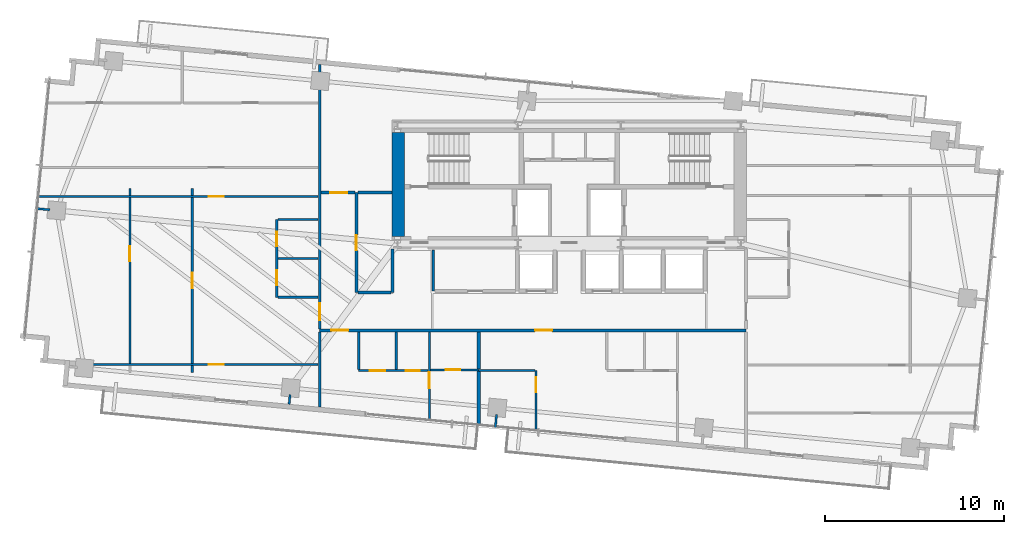
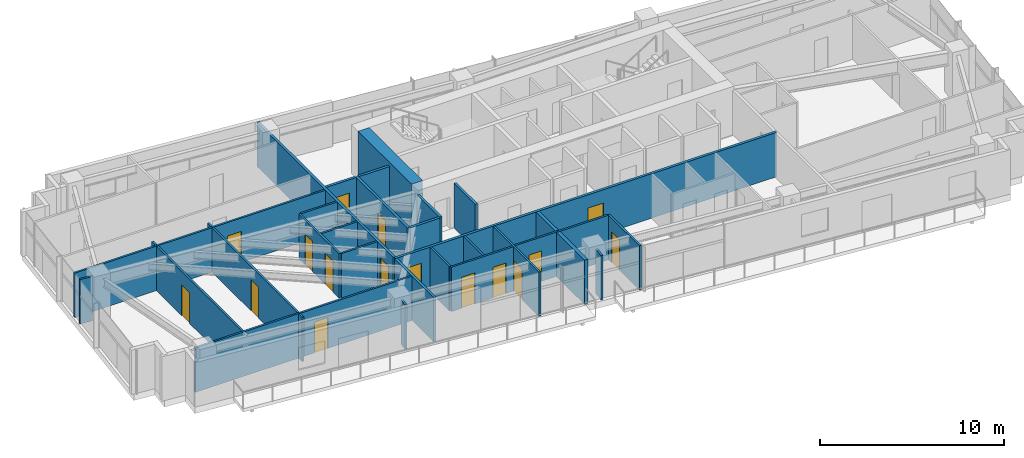
# One storey, part 14 of 19: 33 walls, 16 doors, 16 openings.
"""IFC4 building model written with IfcOpenShell, lengths in metres."""

from ifc_helpers import new_model, si_unit, direction, frame, frame_2d, origin, place, context, subcontext, project, spatial, rectangle, extrude, source, transform, mapped, material, layer, layer_set, type_object, type_shapes, element, fill, save


model = new_model("IFC4")

# Units and contexts
model_context = context("Model", 3, precision=1e-05, world=origin(), true_north=direction((0.0, 1.0)))
body_context = subcontext(model_context, "Body", "Model", "MODEL_VIEW")
ifc_project = project(units=[si_unit("LENGTHUNIT", "METRE"), si_unit("AREAUNIT", "SQUARE_METRE"), si_unit("VOLUMEUNIT", "CUBIC_METRE"), si_unit("PLANEANGLEUNIT", "RADIAN"), si_unit("MASSUNIT", "GRAM", prefix="KILO")], contexts=[model_context])

# Site, building, storey
site_placement = place(None, origin())
site = spatial("IfcSite", under=ifc_project, at=site_placement, CompositionType="ELEMENT")
building_placement = place(site_placement, origin())
building = spatial("IfcBuilding", under=site, at=building_placement, Name="Astriad Promenade Condominiums", CompositionType="ELEMENT")
storey_placement = place(building_placement, frame((0.0, 0.0, 124.60009765625)))
storey = spatial("IfcBuildingStorey", under=building, at=storey_placement, Name="L35", CompositionType="ELEMENT", Elevation=124.60009765625)

# Walls
ifc_material_1 = material(Name="Concrete C60/75", Category="concrete")
ifc_layer_1 = layer(ifc_material_1, 0.699951171875)
ifc_layer_set_1 = layer_set([ifc_layer_1], Name="Concrete C60/75")
wall_type_1 = type_object("IfcWallType", Name="CW-SHEAR-700", PredefinedType="SHEAR", material=ifc_layer_set_1)
wall_1_placement = place(storey_placement, frame((26.449951171875, 17.802001953125, 0.0), z_axis=(0.0, 0.0, 1.0), x_axis=(0.0, 1.0, 0.0)))
element("IfcWall", 1, at=wall_1_placement, inside=storey, type_object=wall_type_1, Name="CW-CORE-W-L35", PredefinedType="SHEAR", context=body_context, shape_type="SweptSolid", body=[
    extrude(rectangle(XDim=5.7958984375, YDim=0.699951171875, at=frame_2d((2.89794921875, 0.0))), origin(), (0.0, 0.0, 1.0), 3.199951171875),
])
ifc_material_2 = material(Name="Fire-Rated Gypsum Partition")
ifc_layer_2 = layer(ifc_material_2, 0.159912109375)
ifc_layer_set_2 = layer_set([ifc_layer_2], Name="Fire-Rated Gypsum Partition")
wall_type_2 = type_object("IfcWallType", Name="WALL-CORR-160", PredefinedType="PARTITIONING", material=ifc_layer_set_2)
wall_2_placement = place(storey_placement, frame((28.39990234375, 14.75, 0.0), z_axis=(0.0, 0.0, 1.0), x_axis=(0.0, 1.0, 0.0)))
element("IfcWall", 2, at=wall_2_placement, inside=storey, type_object=wall_type_2, Name="REC-L-W-L35", PredefinedType="PARTITIONING", context=body_context, shape_type="SweptSolid", body=[
    extrude(rectangle(XDim=2.300048828125, YDim=0.159912109375, at=frame_2d((1.14990234375, 0.0))), origin(), (0.0, 0.0, 1.0), 2.93994140625),
])

# Wall, openings, doors
wall_3_placement = place(storey_placement, frame((22.050048828125, 12.550048828125, 0.0), z_axis=(0.0, 0.0, 1.0), x_axis=(1.0, 0.0, 0.0)))
wall_3 = element("IfcWall", 3, at=wall_3_placement, inside=storey, type_object=wall_type_2, Name="PT-COR-S-L35", PredefinedType="PARTITIONING", context=body_context, shape_type="SweptSolid", body=[
    extrude(rectangle(XDim=23.829833984375, YDim=0.159912109375, at=frame_2d((11.9150390625, 0.0))), origin(), (0.0, 0.0, 1.0), 2.93994140625),
])
opening_1_placement = place(wall_3_placement, frame((0.655029296875, 0.0, 0.0)))
opening_1 = element("IfcOpeningElement", 4, at=opening_1_placement, cuts=wall_3, Name="Opening FD60-APT-095", PredefinedType="OPENING", context=body_context, shape_type="SweptSolid", body=[
    extrude(rectangle(XDim=0.949951171875, YDim=2.06005859375, at=frame_2d((0.47509765625, 1.030029296875))), frame((0.0, 0.08984375, 0.0), z_axis=(0.0, -1.0, 0.0), x_axis=(1.0, 0.0, 0.0)), (0.0, 0.0, 1.0), 0.179931640625),
])
opening_2_placement = place(wall_3_placement, frame((12.0400390625, 0.0, 0.0)))
opening_2 = element("IfcOpeningElement", 5, at=opening_2_placement, cuts=wall_3, Name="Opening FD60-APT-095", PredefinedType="OPENING", context=body_context, shape_type="SweptSolid", body=[
    extrude(rectangle(XDim=0.949951171875, YDim=2.06005859375, at=frame_2d((0.47509765625, 1.030029296875))), frame((0.0, 0.08984375, 0.0), z_axis=(0.0, -1.0, 0.0), x_axis=(1.0, 0.0, 0.0)), (0.0, 0.0, 1.0), 0.179931640625),
])
ifc_material_3 = material(Name="Solid-Core Acoustic Timber Residence Entry Door", Category="wood")
door_type_1 = type_object("IfcDoorType", Name="FD60-APT-095", OperationType="NOTDEFINED", PredefinedType="DOOR", material=ifc_material_3)
shared_shape_1 = source(origin(), body_context, "Body", "SweptSolid", [
    extrude(rectangle(XDim=0.949951171875, YDim=2.06005859375, at=frame_2d((0.47509765625, 1.030029296875))), frame((0.0, 0.02490234375, 0.0), z_axis=(0.0, -1.0, 0.0), x_axis=(1.0, 0.0, 0.0)), (0.0, 0.0, 1.0), 0.050048828125),
])
type_shapes(door_type_1, [shared_shape_1])
door_1_placement = place(opening_1_placement, origin())
door_1 = element("IfcDoor", 6, at=door_1_placement, inside=storey, type_object=door_type_1, Name="D-ENT-L35-S1", OperationType="SINGLE_SWING_LEFT", OverallHeight=2.06005859375, OverallWidth=0.949951171875, PredefinedType="DOOR", context=body_context, shape_type="MappedRepresentation", body=[
    mapped(shared_shape_1, transform((0.0, 0.0, 0.0), scale=1.0)),
])
fill(opening_1, door_1)
door_2_placement = place(opening_2_placement, origin())
door_2 = element("IfcDoor", 7, at=door_2_placement, inside=storey, type_object=door_type_1, Name="D-ENT-L35-S2", OperationType="SINGLE_SWING_RIGHT", OverallHeight=2.06005859375, OverallWidth=0.949951171875, PredefinedType="DOOR", context=body_context, shape_type="MappedRepresentation", body=[
    mapped(shared_shape_1, transform((0.0, 0.0, 0.0), scale=1.0)),
])
fill(opening_2, door_2)

# Wall
wall_4_placement = place(storey_placement, frame((22.050048828125, 8.253173828125, 0.0), z_axis=(0.0, 0.0, 1.0), x_axis=(0.0, 1.0, 0.0)))
element("IfcWall", 8, at=wall_4_placement, inside=storey, type_object=wall_type_2, Name="PT-COR-W-L35", PredefinedType="PARTITIONING", context=body_context, shape_type="SweptSolid", body=[
    extrude(rectangle(XDim=4.21484375, YDim=0.159912109375, at=frame_2d((2.107421875, 0.0))), origin(), (0.0, 0.0, 1.0), 2.93994140625),
])

# Wall, opening, door
wall_5_placement = place(storey_placement, frame((22.050048828125, 12.632080078125, 0.0), z_axis=(0.0, 0.0, 1.0), x_axis=(0.0, 1.0, 0.0)))
wall_5 = element("IfcWall", 9, at=wall_5_placement, inside=storey, type_object=wall_type_2, Name="PT-COR-W-L35-S2", PredefinedType="PARTITIONING", context=body_context, shape_type="SweptSolid", body=[
    extrude(rectangle(XDim=14.78515625, YDim=0.159912109375, at=frame_2d((7.392578125, 0.0))), origin(), (0.0, 0.0, 1.0), 2.93994140625),
])
opening_3_placement = place(wall_5_placement, frame((0.492919921875, 0.0, 0.0)))
opening_3 = element("IfcOpeningElement", 10, at=opening_3_placement, cuts=wall_5, Name="Opening FD60-APT-095", PredefinedType="OPENING", context=body_context, shape_type="SweptSolid", body=[
    extrude(rectangle(XDim=0.949951171875, YDim=2.06005859375, at=frame_2d((0.47509765625, 1.030029296875))), frame((0.0, 0.08984375, 0.0), z_axis=(0.0, -1.0, 0.0), x_axis=(1.0, 0.0, 0.0)), (0.0, 0.0, 1.0), 0.179931640625),
])
door_3_placement = place(opening_3_placement, origin())
door_3 = element("IfcDoor", 11, at=door_3_placement, inside=storey, type_object=door_type_1, Name="D-ENT-L35-W1", OperationType="SINGLE_SWING_RIGHT", OverallHeight=2.06005859375, OverallWidth=0.949951171875, PredefinedType="DOOR", context=body_context, shape_type="MappedRepresentation", body=[
    mapped(shared_shape_1, transform((0.0, 0.0, 0.0), scale=1.0)),
])
fill(opening_3, door_3)

wall_6_placement = place(storey_placement, frame((24.10009765625, 14.659912109375, 0.0), z_axis=(0.0, 0.0, 1.0), x_axis=(0.0, 1.0, 0.0)))
wall_6 = element("IfcWall", 12, at=wall_6_placement, inside=storey, type_object=wall_type_2, Name="PT-HK-E-L35", PredefinedType="PARTITIONING", context=body_context, shape_type="SweptSolid", body=[
    extrude(rectangle(XDim=5.590087890625, YDim=0.159912109375, at=frame_2d((2.794921875, 0.0))), origin(), (0.0, 0.0, 1.0), 2.93994140625),
])
opening_4_placement = place(wall_6_placement, frame((2.360107421875, 0.0, 0.0)))
opening_4 = element("IfcOpeningElement", 13, at=opening_4_placement, cuts=wall_6, Name="Opening FD60-ULOW-085", PredefinedType="OPENING", context=body_context, shape_type="SweptSolid", body=[
    extrude(rectangle(XDim=0.85009765625, YDim=2.0, at=frame_2d((0.425048828125, 1.0))), frame((0.0, 0.08984375, 0.0), z_axis=(0.0, -1.0, 0.0), x_axis=(1.0, 0.0, 0.0)), (0.0, 0.0, 1.0), 0.179931640625),
])
ifc_material_4 = material(Name="Solid-Core Low-Headroom Fire Door")
door_type_2 = type_object("IfcDoorType", Name="FD60-ULOW-085", OperationType="NOTDEFINED", PredefinedType="DOOR", material=ifc_material_4)
shared_shape_2 = source(origin(), body_context, "Body", "SweptSolid", [
    extrude(rectangle(XDim=0.85009765625, YDim=2.0, at=frame_2d((0.425048828125, 1.0))), frame((0.0, 0.02490234375, 0.0), z_axis=(0.0, -1.0, 0.0), x_axis=(1.0, 0.0, 0.0)), (0.0, 0.0, 1.0), 0.050048828125),
])
type_shapes(door_type_2, [shared_shape_2])
door_4_placement = place(opening_4_placement, origin())
door_4 = element("IfcDoor", 14, at=door_4_placement, inside=storey, type_object=door_type_2, Name="D-HKA-L35", OperationType="SINGLE_SWING_RIGHT", OverallHeight=2.0, OverallWidth=0.85009765625, PredefinedType="DOOR", context=body_context, shape_type="MappedRepresentation", body=[
    mapped(shared_shape_2, transform((0.0, 0.0, 0.0), scale=1.0)),
])
fill(opening_4, door_4)

wall_7_placement = place(storey_placement, frame((22.132080078125, 20.25, 0.0), z_axis=(0.0, 0.0, 1.0), x_axis=(1.0, 0.0, 0.0)))
wall_7 = element("IfcWall", 15, at=wall_7_placement, inside=storey, type_object=wall_type_2, Name="PT-HK-N-L35", PredefinedType="PARTITIONING", context=body_context, shape_type="SweptSolid", body=[
    extrude(rectangle(XDim=1.885986328125, YDim=0.159912109375, at=frame_2d((0.94287109375, 0.0))), origin(), (0.0, 0.0, 1.0), 2.93994140625),
])
opening_5_placement = place(wall_7_placement, frame((0.508056640625, 0.0, 0.0)))
opening_5 = element("IfcOpeningElement", 16, at=opening_5_placement, cuts=wall_7, Name="Opening FD60-APT-095", PredefinedType="OPENING", context=body_context, shape_type="SweptSolid", body=[
    extrude(rectangle(XDim=0.949951171875, YDim=2.06005859375, at=frame_2d((0.47509765625, 1.030029296875))), frame((0.0, 0.08984375, 0.0), z_axis=(0.0, -1.0, 0.0), x_axis=(1.0, 0.0, 0.0)), (0.0, 0.0, 1.0), 0.179931640625),
])
door_5_placement = place(opening_5_placement, origin())
door_5 = element("IfcDoor", 17, at=door_5_placement, inside=storey, type_object=door_type_1, Name="D-HKB-L35", OperationType="SINGLE_SWING_LEFT", OverallHeight=2.06005859375, OverallWidth=0.949951171875, PredefinedType="DOOR", context=body_context, shape_type="MappedRepresentation", body=[
    mapped(shared_shape_1, transform((0.0, 0.0, 0.0), scale=1.0)),
])
fill(opening_5, door_5)

# Walls
wall_8_placement = place(storey_placement, frame((24.181884765625, 20.25, 0.0), z_axis=(0.0, 0.0, 1.0), x_axis=(1.0, 0.0, 0.0)))
element("IfcWall", 18, at=wall_8_placement, inside=storey, type_object=wall_type_2, Name="PT-HK-N-L35-S2", PredefinedType="PARTITIONING", context=body_context, shape_type="SweptSolid", body=[
    extrude(rectangle(XDim=1.916015625, YDim=0.159912109375, at=frame_2d((0.9580078125, 0.0))), origin(), (0.0, 0.0, 1.0), 2.93994140625),
])
wall_9_placement = place(storey_placement, frame((26.1201171875, 14.659912109375, 0.0), z_axis=(0.0, 0.0, 1.0), x_axis=(0.0, 1.0, 0.0)))
element("IfcWall", 19, at=wall_9_placement, inside=storey, type_object=wall_type_2, Name="PT-WSPUR-W-L35", PredefinedType="PARTITIONING", context=body_context, shape_type="SweptSolid", body=[
    extrude(rectangle(XDim=2.43798828125, YDim=0.159912109375, at=frame_2d((1.218994140625, 0.0))), origin(), (0.0, 0.0, 1.0), 2.93994140625),
])
wall_10_placement = place(storey_placement, frame((24.181884765625, 14.659912109375, 0.0), z_axis=(0.0, 0.0, 1.0), x_axis=(1.0, 0.0, 0.0)))
element("IfcWall", 20, at=wall_10_placement, inside=storey, type_object=wall_type_2, Name="PT-HK-S-L35", PredefinedType="PARTITIONING", context=body_context, shape_type="SweptSolid", body=[
    extrude(rectangle(XDim=1.856201171875, YDim=0.159912109375, at=frame_2d((0.92822265625, 0.0))), origin(), (0.0, 0.0, 1.0), 2.93994140625),
])
ifc_material_5 = material(Name="Acoustic Double-Stud Gypsum Partition")
ifc_layer_3 = layer(ifc_material_5, 0.199951171875)
ifc_layer_set_3 = layer_set([ifc_layer_3], Name="Acoustic Double-Stud Gypsum Partition")
wall_type_3 = type_object("IfcWallType", Name="WALL-DEMISING-200", PredefinedType="PARTITIONING", material=ifc_layer_set_3)
wall_11_placement = place(storey_placement, frame((30.929931640625, 7.215087890625, 0.0), z_axis=(0.0, 0.0, 1.0), x_axis=(0.0, 1.0, 0.0)))
element("IfcWall", 21, at=wall_11_placement, inside=storey, type_object=wall_type_3, Name="PT-DEM-S1-L35", PredefinedType="PARTITIONING", context=body_context, shape_type="SweptSolid", body=[
    extrude(rectangle(XDim=3.06201171875, YDim=0.199951171875, at=frame_2d((1.531005859375, 0.0))), origin(), (0.0, 0.0, 1.0), 2.93994140625),
])
wall_12_placement = place(storey_placement, frame((30.929931640625, 10.40087890625, 0.0), z_axis=(0.0, 0.0, 1.0), x_axis=(0.0, 1.0, 0.0)))
element("IfcWall", 22, at=wall_12_placement, inside=storey, type_object=wall_type_3, Name="PT-DEM-S1-L35-S2", PredefinedType="PARTITIONING", context=body_context, shape_type="SweptSolid", body=[
    extrude(rectangle(XDim=2.067138671875, YDim=0.199951171875, at=frame_2d((1.03369140625, 0.0))), origin(), (0.0, 0.0, 1.0), 2.93994140625),
])

# Wall, opening, door
ifc_material_6 = material(Name="Acoustic Metal-Stud Gypsum Partition")
ifc_layer_4 = layer(ifc_material_6, 0.1201171875)
ifc_layer_set_4 = layer_set([ifc_layer_4], Name="Acoustic Metal-Stud Gypsum Partition")
wall_type_4 = type_object("IfcWallType", Name="WALL-PART-120", PredefinedType="PARTITIONING", material=ifc_layer_set_4)
wall_13_placement = place(storey_placement, frame((28.179931640625, 7.47998046875, 0.0), z_axis=(0.0, 0.0, 1.0), x_axis=(0.0, 1.0, 0.0)))
wall_13 = element("IfcWall", 23, at=wall_13_placement, inside=storey, type_object=wall_type_4, Name="PT-L35-S1-BD1", PredefinedType="PARTITIONING", context=body_context, shape_type="SweptSolid", body=[
    extrude(rectangle(XDim=4.988037109375, YDim=0.1201171875, at=frame_2d((2.494140625, 0.0))), origin(), (0.0, 0.0, 1.0), 2.93994140625),
])
opening_6_placement = place(wall_13_placement, frame((1.835205078125, 0.0, 0.0)))
opening_6 = element("IfcOpeningElement", 24, at=opening_6_placement, cuts=wall_13, Name="Opening D-INT-090", PredefinedType="OPENING", context=body_context, shape_type="SweptSolid", body=[
    extrude(rectangle(XDim=0.89990234375, YDim=2.050048828125, at=frame_2d((0.449951171875, 1.02490234375))), frame((0.0, 0.070068359375, 0.0), z_axis=(0.0, -1.0, 0.0), x_axis=(1.0, 0.0, 0.0)), (0.0, 0.0, 1.0), 0.14013671875),
])
ifc_material_7 = material(Name="Painted Solid-Core Timber Bedroom Door", Category="wood")
door_type_3 = type_object("IfcDoorType", Name="D-INT-090", OperationType="NOTDEFINED", PredefinedType="DOOR", material=ifc_material_7)
shared_shape_3 = source(origin(), body_context, "Body", "SweptSolid", [
    extrude(rectangle(XDim=0.89990234375, YDim=2.050048828125, at=frame_2d((0.449951171875, 1.02490234375))), frame((0.0, 0.02490234375, 0.0), z_axis=(0.0, -1.0, 0.0), x_axis=(1.0, 0.0, 0.0)), (0.0, 0.0, 1.0), 0.050048828125),
])
type_shapes(door_type_3, [shared_shape_3])
door_6_placement = place(opening_6_placement, origin())
door_6 = element("IfcDoor", 25, at=door_6_placement, inside=storey, type_object=door_type_3, Name="D-BD1-L35-S1", OperationType="SINGLE_SWING_RIGHT", OverallHeight=2.050048828125, OverallWidth=0.89990234375, PredefinedType="DOOR", context=body_context, shape_type="MappedRepresentation", body=[
    mapped(shared_shape_3, transform((0.0, 0.0, 0.0), scale=1.0)),
])
fill(opening_6, door_6)

# Wall, openings, doors
wall_14_placement = place(storey_placement, frame((24.22998046875, 10.300048828125, 0.0), z_axis=(0.0, 0.0, 1.0), x_axis=(1.0, 0.0, 0.0)))
wall_14 = element("IfcWall", 26, at=wall_14_placement, inside=storey, type_object=wall_type_4, Name="PT-L35-S1-PS", PredefinedType="PARTITIONING", context=body_context, shape_type="SweptSolid", body=[
    extrude(rectangle(XDim=3.887939453125, YDim=0.1201171875, at=frame_2d((1.94384765625, 0.0))), origin(), (0.0, 0.0, 1.0), 2.93994140625),
])
opening_7_placement = place(wall_14_placement, frame((0.625, 0.0, 0.0)))
opening_7 = element("IfcOpeningElement", 27, at=opening_7_placement, cuts=wall_14, Name="Opening D-INT-085", PredefinedType="OPENING", context=body_context, shape_type="SweptSolid", body=[
    extrude(rectangle(XDim=0.85009765625, YDim=2.050048828125, at=frame_2d((0.425048828125, 1.02490234375))), frame((0.0, 0.070068359375, 0.0), z_axis=(0.0, -1.0, 0.0), x_axis=(1.0, 0.0, 0.0)), (0.0, 0.0, 1.0), 0.14013671875),
])
opening_8_placement = place(wall_14_placement, frame((2.625, 0.0, 0.0)))
opening_8 = element("IfcOpeningElement", 28, at=opening_8_placement, cuts=wall_14, Name="Opening D-WET-080", PredefinedType="OPENING", context=body_context, shape_type="SweptSolid", body=[
    extrude(rectangle(XDim=0.800048828125, YDim=2.02001953125, at=frame_2d((0.39990234375, 1.010009765625))), frame((0.0, 0.070068359375, 0.0), z_axis=(0.0, -1.0, 0.0), x_axis=(1.0, 0.0, 0.0)), (0.0, 0.0, 1.0), 0.14013671875),
])
ifc_material_8 = material(Name="Moisture-Resistant Timber Bathroom Door", Category="wood")
door_type_4 = type_object("IfcDoorType", Name="D-WET-080", OperationType="NOTDEFINED", PredefinedType="DOOR", material=ifc_material_8)
shared_shape_4 = source(origin(), body_context, "Body", "SweptSolid", [
    extrude(rectangle(XDim=0.800048828125, YDim=2.02001953125, at=frame_2d((0.39990234375, 1.010009765625))), frame((0.0, 0.02490234375, 0.0), z_axis=(0.0, -1.0, 0.0), x_axis=(1.0, 0.0, 0.0)), (0.0, 0.0, 1.0), 0.050048828125),
])
type_shapes(door_type_4, [shared_shape_4])
door_7_placement = place(opening_8_placement, origin())
door_7 = element("IfcDoor", 29, at=door_7_placement, inside=storey, type_object=door_type_4, Name="D-BTH-L35-S1", OperationType="SINGLE_SWING_RIGHT", OverallHeight=2.02001953125, OverallWidth=0.800048828125, PredefinedType="DOOR", context=body_context, shape_type="MappedRepresentation", body=[
    mapped(shared_shape_4, transform((0.0, 0.0, 0.0), scale=1.0)),
])
fill(opening_8, door_7)
ifc_material_9 = material(Name="Painted Solid-Core Timber Room Door", Category="wood")
door_type_5 = type_object("IfcDoorType", Name="D-INT-085", OperationType="NOTDEFINED", PredefinedType="DOOR", material=ifc_material_9)
shared_shape_5 = source(origin(), body_context, "Body", "SweptSolid", [
    extrude(rectangle(XDim=0.85009765625, YDim=2.050048828125, at=frame_2d((0.425048828125, 1.02490234375))), frame((0.0, 0.02490234375, 0.0), z_axis=(0.0, -1.0, 0.0), x_axis=(1.0, 0.0, 0.0)), (0.0, 0.0, 1.0), 0.050048828125),
])
type_shapes(door_type_5, [shared_shape_5])
door_8_placement = place(opening_7_placement, origin())
door_8 = element("IfcDoor", 30, at=door_8_placement, inside=storey, type_object=door_type_5, Name="D-KIT-L35-S1", OperationType="SINGLE_SWING_LEFT", OverallHeight=2.050048828125, OverallWidth=0.85009765625, PredefinedType="DOOR", context=body_context, shape_type="MappedRepresentation", body=[
    mapped(shared_shape_5, transform((0.0, 0.0, 0.0), scale=1.0)),
])
fill(opening_7, door_8)

# Walls
for number, where, z_axis, x_axis, name in (
    (31, (26.330078125, 10.362060546875, 0.0), (0.0, 0.0, 1.0), (0.0, 1.0, 0.0), "PT-L35-S1-PBK"),
    (32, (24.22998046875, 10.362060546875, 0.0), (0.0, 0.0, 1.0), (0.0, 1.0, 0.0), "PT-L35-S1-PKW"),
):
    element("IfcWall", number, at=place(storey_placement, frame(where, z_axis=z_axis, x_axis=x_axis)), inside=storey, type_object=wall_type_4, Name=name, PredefinedType="PARTITIONING", context=body_context, shape_type="SweptSolid", body=[
        extrude(rectangle(XDim=2.10595703125, YDim=0.1201171875, at=frame_2d((1.052978515625, 0.0))), origin(), (0.0, 0.0, 1.0), 2.93994140625),
    ])

# Wall, opening, door
wall_15_placement = place(storey_placement, frame((28.241943359375, 10.339111328125, 0.0), z_axis=(0.0, 0.0, 1.0), x_axis=(1.0, 0.0, 0.0)))
wall_15 = element("IfcWall", 33, at=wall_15_placement, inside=storey, type_object=wall_type_4, Name="PT-L35-S1-ENS", PredefinedType="PARTITIONING", context=body_context, shape_type="SweptSolid", body=[
    extrude(rectangle(XDim=2.68798828125, YDim=0.1201171875, at=frame_2d((1.343994140625, 0.0))), origin(), (0.0, 0.0, 1.0), 2.93994140625),
])
opening_9_placement = place(wall_15_placement, frame((0.863037109375, 0.0, 0.0)))
opening_9 = element("IfcOpeningElement", 34, at=opening_9_placement, cuts=wall_15, Name="Opening D-WET-080", PredefinedType="OPENING", context=body_context, shape_type="SweptSolid", body=[
    extrude(rectangle(XDim=0.800048828125, YDim=2.02001953125, at=frame_2d((0.39990234375, 1.010009765625))), frame((0.0, 0.070068359375, 0.0), z_axis=(0.0, -1.0, 0.0), x_axis=(1.0, 0.0, 0.0)), (0.0, 0.0, 1.0), 0.14013671875),
])
door_9_placement = place(opening_9_placement, origin())
door_9 = element("IfcDoor", 35, at=door_9_placement, inside=storey, type_object=door_type_4, Name="D-ENS-L35-S1", OperationType="SINGLE_SWING_RIGHT", OverallHeight=2.02001953125, OverallWidth=0.800048828125, PredefinedType="DOOR", context=body_context, shape_type="MappedRepresentation", body=[
    mapped(shared_shape_4, transform((0.0, 0.0, 0.0), scale=1.0)),
])
fill(opening_9, door_9)

wall_16_placement = place(storey_placement, frame((34.14111328125, 6.906005859375, 0.0), z_axis=(0.0, 0.0, 1.0), x_axis=(0.0, 1.0, 0.0)))
wall_16 = element("IfcWall", 36, at=wall_16_placement, inside=storey, type_object=wall_type_4, Name="PT-L35-S2-EXV", PredefinedType="PARTITIONING", context=body_context, shape_type="SweptSolid", body=[
    extrude(rectangle(XDim=3.39404296875, YDim=0.1201171875, at=frame_2d((1.697021484375, 0.0))), origin(), (0.0, 0.0, 1.0), 2.93994140625),
])
opening_10_placement = place(wall_16_placement, frame((2.179931640625, 0.0, 0.0)))
opening_10 = element("IfcOpeningElement", 37, at=opening_10_placement, cuts=wall_16, Name="Opening D-INT-085", PredefinedType="OPENING", context=body_context, shape_type="SweptSolid", body=[
    extrude(rectangle(XDim=0.85009765625, YDim=2.050048828125, at=frame_2d((0.425048828125, 1.02490234375))), frame((0.0, 0.070068359375, 0.0), z_axis=(0.0, -1.0, 0.0), x_axis=(1.0, 0.0, 0.0)), (0.0, 0.0, 1.0), 0.14013671875),
])
door_10_placement = place(opening_10_placement, origin())
door_10 = element("IfcDoor", 38, at=door_10_placement, inside=storey, type_object=door_type_5, Name="D-EX-L35-S2", OperationType="SINGLE_SWING_LEFT", OverallHeight=2.050048828125, OverallWidth=0.85009765625, PredefinedType="DOOR", context=body_context, shape_type="MappedRepresentation", body=[
    mapped(shared_shape_5, transform((0.0, 0.0, 0.0), scale=1.0)),
])
fill(opening_10, door_10)

# Wall
wall_17_placement = place(storey_placement, frame((30.929931640625, 10.300048828125, 0.0), z_axis=(0.0, 0.0, 1.0), x_axis=(1.0, 0.0, 0.0)))
element("IfcWall", 39, at=wall_17_placement, inside=storey, type_object=wall_type_4, Name="PT-L35-S2-EXH", PredefinedType="PARTITIONING", context=body_context, shape_type="SweptSolid", body=[
    extrude(rectangle(XDim=3.149169921875, YDim=0.1201171875, at=frame_2d((1.57470703125, 0.0))), origin(), (0.0, 0.0, 1.0), 2.93994140625),
])

# Wall, openings, doors
wall_18_placement = place(storey_placement, frame((19.64990234375, 14.39990234375, 0.0), z_axis=(0.0, 0.0, 1.0), x_axis=(0.0, 1.0, 0.0)))
wall_18 = element("IfcWall", 40, at=wall_18_placement, inside=storey, type_object=wall_type_4, Name="PT-L35-W1-PV", PredefinedType="PARTITIONING", context=body_context, shape_type="SweptSolid", body=[
    extrude(rectangle(XDim=4.35009765625, YDim=0.1201171875, at=frame_2d((2.175048828125, 0.0))), origin(), (0.0, 0.0, 1.0), 2.93994140625),
])
opening_11_placement = place(wall_18_placement, frame((0.6630859375, 0.0, 0.0)))
opening_11 = element("IfcOpeningElement", 41, at=opening_11_placement, cuts=wall_18, Name="Opening D-INT-085", PredefinedType="OPENING", context=body_context, shape_type="SweptSolid", body=[
    extrude(rectangle(XDim=0.85009765625, YDim=2.050048828125, at=frame_2d((0.425048828125, 1.02490234375))), frame((0.0, 0.070068359375, 0.0), z_axis=(0.0, -1.0, 0.0), x_axis=(1.0, 0.0, 0.0)), (0.0, 0.0, 1.0), 0.14013671875),
])
opening_12_placement = place(wall_18_placement, frame((2.863037109375, 0.0, 0.0)))
opening_12 = element("IfcOpeningElement", 42, at=opening_12_placement, cuts=wall_18, Name="Opening D-WET-080", PredefinedType="OPENING", context=body_context, shape_type="SweptSolid", body=[
    extrude(rectangle(XDim=0.800048828125, YDim=2.02001953125, at=frame_2d((0.39990234375, 1.010009765625))), frame((0.0, 0.070068359375, 0.0), z_axis=(0.0, -1.0, 0.0), x_axis=(1.0, 0.0, 0.0)), (0.0, 0.0, 1.0), 0.14013671875),
])
door_11_placement = place(opening_12_placement, origin())
door_11 = element("IfcDoor", 43, at=door_11_placement, inside=storey, type_object=door_type_4, Name="D-BTH-L35-W1", OperationType="SINGLE_SWING_RIGHT", OverallHeight=2.02001953125, OverallWidth=0.800048828125, PredefinedType="DOOR", context=body_context, shape_type="MappedRepresentation", body=[
    mapped(shared_shape_4, transform((0.0, 0.0, 0.0), scale=1.0)),
])
fill(opening_12, door_11)
door_12_placement = place(opening_11_placement, origin())
door_12 = element("IfcDoor", 44, at=door_12_placement, inside=storey, type_object=door_type_5, Name="D-KIT-L35-W1", OperationType="SINGLE_SWING_LEFT", OverallHeight=2.050048828125, OverallWidth=0.85009765625, PredefinedType="DOOR", context=body_context, shape_type="MappedRepresentation", body=[
    mapped(shared_shape_5, transform((0.0, 0.0, 0.0), scale=1.0)),
])
fill(opening_11, door_12)

# Walls
for number, where, z_axis, x_axis, name in (
    (45, (19.7119140625, 16.574951171875, 0.0), (0.0, 0.0, 1.0), (1.0, 0.0, 0.0), "PT-L35-W1-PM"),
    (46, (19.7119140625, 14.39990234375, 0.0), (0.0, 0.0, 1.0), (1.0, 0.0, 0.0), "PT-L35-W1-PS"),
    (47, (19.7119140625, 18.75, 0.0), (0.0, 0.0, 1.0), (1.0, 0.0, 0.0), "PT-L35-W1-PN"),
):
    element("IfcWall", number, at=place(storey_placement, frame(where, z_axis=z_axis, x_axis=x_axis)), inside=storey, type_object=wall_type_4, Name=name, PredefinedType="PARTITIONING", context=body_context, shape_type="SweptSolid", body=[
        extrude(rectangle(XDim=2.256103515625, YDim=0.1201171875, at=frame_2d((1.1279296875, 0.0))), origin(), (0.0, 0.0, 1.0), 2.93994140625),
    ])

# Wall, opening, door
wall_19_placement = place(storey_placement, frame((8.39501953125, 10.638916015625, 0.0), z_axis=(0.0, 0.0, 1.0), x_axis=(1.0, 0.0, 0.0)))
wall_19 = element("IfcWall", 48, at=wall_19_placement, inside=storey, type_object=wall_type_4, Name="PT-L35-W1-WDS2", PredefinedType="PARTITIONING", context=body_context, shape_type="SweptSolid", body=[
    extrude(rectangle(XDim=13.572998046875, YDim=0.1201171875, at=frame_2d((6.78662109375, 0.0))), origin(), (0.0, 0.0, 1.0), 2.93994140625),
])
opening_13_placement = place(wall_19_placement, frame((7.450927734375, 0.0, 0.0)))
opening_13 = element("IfcOpeningElement", 49, at=opening_13_placement, cuts=wall_19, Name="Opening D-INT-085", PredefinedType="OPENING", context=body_context, shape_type="SweptSolid", body=[
    extrude(rectangle(XDim=0.85009765625, YDim=2.050048828125, at=frame_2d((0.425048828125, 1.02490234375))), frame((0.0, 0.070068359375, 0.0), z_axis=(0.0, -1.0, 0.0), x_axis=(1.0, 0.0, 0.0)), (0.0, 0.0, 1.0), 0.14013671875),
])
door_13_placement = place(opening_13_placement, origin())
door_13 = element("IfcDoor", 50, at=door_13_placement, inside=storey, type_object=door_type_5, Name="D-WDS2-L35-W1", OperationType="SINGLE_SWING_RIGHT", OverallHeight=2.050048828125, OverallWidth=0.85009765625, PredefinedType="DOOR", context=body_context, shape_type="MappedRepresentation", body=[
    mapped(shared_shape_5, transform((0.0, 0.0, 0.0), scale=1.0)),
])
fill(opening_13, door_13)

wall_20_placement = place(storey_placement, frame((6.267578125, 20.031005859375, 0.0), z_axis=(0.0, 0.0, 1.0), x_axis=(1.0, 0.0, 0.0)))
wall_20 = element("IfcWall", 51, at=wall_20_placement, inside=storey, type_object=wall_type_4, Name="PT-L35-W1-WDN3", PredefinedType="PARTITIONING", context=body_context, shape_type="SweptSolid", body=[
    extrude(rectangle(XDim=15.700439453125, YDim=0.1201171875, at=frame_2d((7.85009765625, 0.0))), origin(), (0.0, 0.0, 1.0), 2.93994140625),
])
opening_14_placement = place(wall_20_placement, frame((9.57861328125, 0.0, 0.0)))
opening_14 = element("IfcOpeningElement", 52, at=opening_14_placement, cuts=wall_20, Name="Opening D-INT-085", PredefinedType="OPENING", context=body_context, shape_type="SweptSolid", body=[
    extrude(rectangle(XDim=0.85009765625, YDim=2.050048828125, at=frame_2d((0.425048828125, 1.02490234375))), frame((0.0, 0.070068359375, 0.0), z_axis=(0.0, -1.0, 0.0), x_axis=(1.0, 0.0, 0.0)), (0.0, 0.0, 1.0), 0.14013671875),
])
door_14_placement = place(opening_14_placement, origin())
door_14 = element("IfcDoor", 53, at=door_14_placement, inside=storey, type_object=door_type_5, Name="D-WDN3-L35-W1", OperationType="SINGLE_SWING_LEFT", OverallHeight=2.050048828125, OverallWidth=0.85009765625, PredefinedType="DOOR", context=body_context, shape_type="MappedRepresentation", body=[
    mapped(shared_shape_5, transform((0.0, 0.0, 0.0), scale=1.0)),
])
fill(opening_14, door_14)

wall_21_placement = place(storey_placement, frame((11.43701171875, 10.700927734375, 0.0), z_axis=(0.0, 0.0, 1.0), x_axis=(0.0, 1.0, 0.0)))
wall_21 = element("IfcWall", 54, at=wall_21_placement, inside=storey, type_object=wall_type_4, Name="PT-L35-W1-WDV4-S2", PredefinedType="PARTITIONING", context=body_context, shape_type="SweptSolid", body=[
    extrude(rectangle(XDim=9.26806640625, YDim=0.1201171875, at=frame_2d((4.634033203125, 0.0))), origin(), (0.0, 0.0, 1.0), 2.93994140625),
])
opening_15_placement = place(wall_21_placement, frame((5.699951171875, 0.0, 0.0)))
opening_15 = element("IfcOpeningElement", 55, at=opening_15_placement, cuts=wall_21, Name="Opening D-INT-085", PredefinedType="OPENING", context=body_context, shape_type="SweptSolid", body=[
    extrude(rectangle(XDim=0.85009765625, YDim=2.050048828125, at=frame_2d((0.425048828125, 1.02490234375))), frame((0.0, 0.070068359375, 0.0), z_axis=(0.0, -1.0, 0.0), x_axis=(1.0, 0.0, 0.0)), (0.0, 0.0, 1.0), 0.14013671875),
])
door_15_placement = place(opening_15_placement, origin())
door_15 = element("IfcDoor", 56, at=door_15_placement, inside=storey, type_object=door_type_5, Name="D-WDV4-L35-W1", OperationType="SINGLE_SWING_RIGHT", OverallHeight=2.050048828125, OverallWidth=0.85009765625, PredefinedType="DOOR", context=body_context, shape_type="MappedRepresentation", body=[
    mapped(shared_shape_5, transform((0.0, 0.0, 0.0), scale=1.0)),
])
fill(opening_15, door_15)

# Walls
for number, where, z_axis, x_axis, name in (
    (57, (11.43701171875, 20.093017578125, 0.0), (0.0, 0.0, 1.0), (0.0, 1.0, 0.0), "PT-L35-W1-WDV4-S3"),
    (58, (14.9208984375, 10.198974609375, 0.0), (0.0, 0.0, 1.0), (0.0, 1.0, 0.0), "PT-L35-W1-WDV5"),
):
    element("IfcWall", number, at=place(storey_placement, frame(where, z_axis=z_axis, x_axis=x_axis)), inside=storey, type_object=wall_type_4, Name=name, PredefinedType="PARTITIONING", context=body_context, shape_type="SweptSolid", body=[
        extrude(rectangle(XDim=0.3779296875, YDim=0.1201171875, at=frame_2d((0.18896484375, 0.0))), origin(), (0.0, 0.0, 1.0), 2.93994140625),
    ])

# Wall, opening, door
wall_22_placement = place(storey_placement, frame((14.9208984375, 10.700927734375, 0.0), z_axis=(0.0, 0.0, 1.0), x_axis=(0.0, 1.0, 0.0)))
wall_22 = element("IfcWall", 59, at=wall_22_placement, inside=storey, type_object=wall_type_4, Name="PT-L35-W1-WDV5-S2", PredefinedType="PARTITIONING", context=body_context, shape_type="SweptSolid", body=[
    extrude(rectangle(XDim=9.26806640625, YDim=0.1201171875, at=frame_2d((4.634033203125, 0.0))), origin(), (0.0, 0.0, 1.0), 2.93994140625),
])
opening_16_placement = place(wall_22_placement, frame((4.208984375, 0.0, 0.0)))
opening_16 = element("IfcOpeningElement", 60, at=opening_16_placement, cuts=wall_22, Name="Opening D-INT-085", PredefinedType="OPENING", context=body_context, shape_type="SweptSolid", body=[
    extrude(rectangle(XDim=0.85009765625, YDim=2.050048828125, at=frame_2d((0.425048828125, 1.02490234375))), frame((0.0, 0.070068359375, 0.0), z_axis=(0.0, -1.0, 0.0), x_axis=(1.0, 0.0, 0.0)), (0.0, 0.0, 1.0), 0.14013671875),
])
door_16_placement = place(opening_16_placement, origin())
door_16 = element("IfcDoor", 61, at=door_16_placement, inside=storey, type_object=door_type_5, Name="D-WDV5-L35-W1", OperationType="SINGLE_SWING_LEFT", OverallHeight=2.050048828125, OverallWidth=0.85009765625, PredefinedType="DOOR", context=body_context, shape_type="MappedRepresentation", body=[
    mapped(shared_shape_5, transform((0.0, 0.0, 0.0), scale=1.0)),
])
fill(opening_16, door_16)

# Walls
wall_23_placement = place(storey_placement, frame((14.9208984375, 20.093017578125, 0.0), z_axis=(0.0, 0.0, 1.0), x_axis=(0.0, 1.0, 0.0)))
element("IfcWall", 62, at=wall_23_placement, inside=storey, type_object=wall_type_4, Name="PT-L35-W1-WDV5-S3", PredefinedType="PARTITIONING", context=body_context, shape_type="SweptSolid", body=[
    extrude(rectangle(XDim=0.3779296875, YDim=0.1201171875, at=frame_2d((0.18896484375, 0.0))), origin(), (0.0, 0.0, 1.0), 2.93994140625),
])
wall_24_placement = place(storey_placement, frame((20.390869140625, 8.953125, 0.0), z_axis=(0.0, 0.0, 1.0), x_axis=(-0.096222656154, -0.995359834654, 0.0)))
element("IfcWall", 63, at=wall_24_placement, inside=storey, type_object=wall_type_4, Name="PT-PIL-L35-PC02-9", PredefinedType="PARTITIONING", context=body_context, shape_type="SweptSolid", body=[
    extrude(rectangle(XDim=0.537841796875, YDim=0.1201171875, at=frame_2d((0.26904296875, 0.0))), origin(), (0.0, 0.0, 1.0), 2.93994140625),
])
wall_25_placement = place(storey_placement, frame((31.9375, 7.84130859375, 0.0), z_axis=(0.0, 0.0, 1.0), x_axis=(-0.095977354523, -0.995383517755, 0.0)))
element("IfcWall", 64, at=wall_25_placement, inside=storey, type_object=wall_type_4, Name="PT-PIL-L35-PC03-10", PredefinedType="PARTITIONING", context=body_context, shape_type="SweptSolid", body=[
    extrude(rectangle(XDim=0.719970703125, YDim=0.1201171875, at=frame_2d((0.35986328125, 0.0))), origin(), (0.0, 0.0, 1.0), 2.93994140625),
])
wall_26_placement = place(storey_placement, frame((6.95947265625, 19.2880859375, 0.0), z_axis=(0.0, 0.0, 1.0), x_axis=(-0.995377786728, 0.096036772582, 0.0)))
element("IfcWall", 65, at=wall_26_placement, inside=storey, type_object=wall_type_4, Name="PT-PIL-L35-PC11-18", PredefinedType="PARTITIONING", context=body_context, shape_type="SweptSolid", body=[
    extrude(rectangle(XDim=0.760009765625, YDim=0.1201171875, at=frame_2d((0.3798828125, 0.0))), origin(), (0.0, 0.0, 1.0), 2.93994140625),
])

save(model, "model.ifc")
